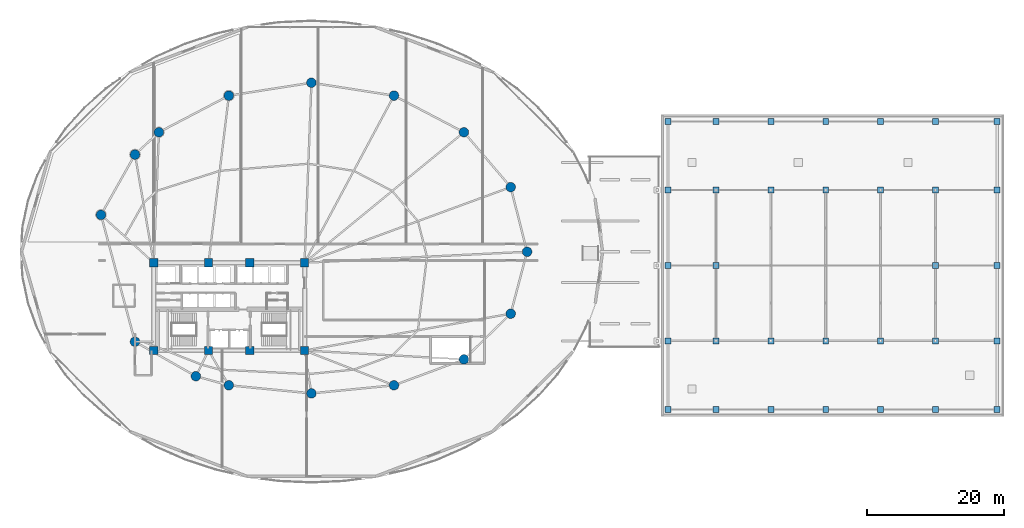
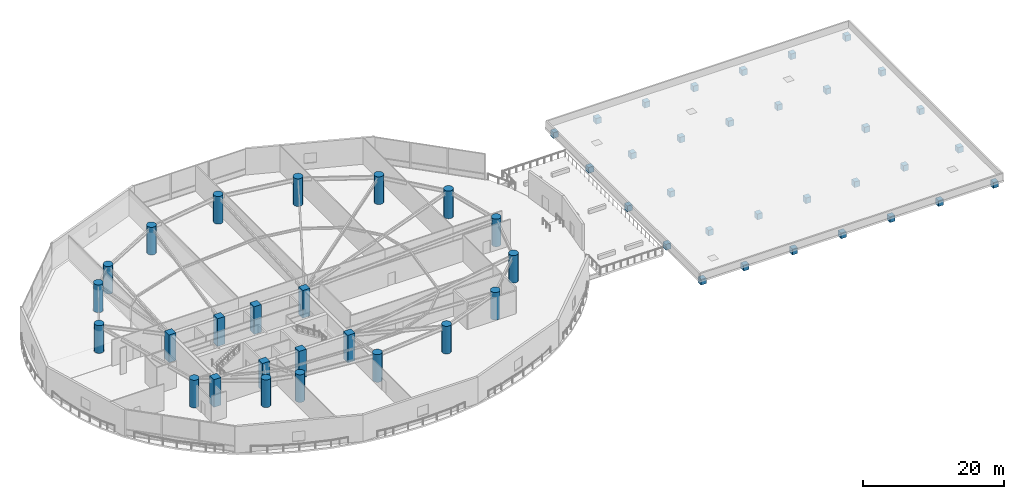
# One storey, part 1 of 26: 56 columns.
"""IFC4 building model written with IfcOpenShell, lengths in metres."""

from ifc_helpers import new_model, si_unit, direction, frame, origin, origin_2d, place, context, subcontext, project, spatial, rectangle, circle, extrude, material, material_profile, profile_set, type_object, element, save


model = new_model("IFC4")

# Units and contexts
model_context = context("Model", 3, precision=1e-05, world=origin(), true_north=direction((0.0, 1.0)))
body_context = subcontext(model_context, "Body", "Model", "MODEL_VIEW")
ifc_project = project(units=[si_unit("LENGTHUNIT", "METRE"), si_unit("AREAUNIT", "SQUARE_METRE"), si_unit("VOLUMEUNIT", "CUBIC_METRE"), si_unit("PLANEANGLEUNIT", "RADIAN"), si_unit("MASSUNIT", "GRAM", prefix="KILO")], contexts=[model_context])

# Site, building, storey
site_placement = place(None, origin())
site = spatial("IfcSite", under=ifc_project, at=site_placement, CompositionType="ELEMENT")
building_placement = place(site_placement, origin())
building = spatial("IfcBuilding", under=site, at=building_placement, Name="Kazevale Care Tower and Concert Hall", CompositionType="ELEMENT")
storey_placement = place(building_placement, frame((0.0, 0.0, 19.199951171875)))
storey = spatial("IfcBuildingStorey", under=building, at=storey_placement, Name="L04", CompositionType="ELEMENT", Elevation=19.199951171875)

# Columns
ifc_material_1 = material(Name="Concrete C50", Category="concrete")
ifc_material_profile_1 = material_profile(ifc_material_1, rectangle(XDim=0.85009765625, YDim=0.85009765625, at=origin_2d()), Name="RC-SQ850")
ifc_profile_set_1 = profile_set([ifc_material_profile_1], Name="Concrete C50")
column_type_1 = type_object("IfcColumnType", Name="Concert Hall Column SQ850 C50", PredefinedType="COLUMN", material=ifc_profile_set_1)
for number, where, z_axis, x_axis, name in (
    (1, (97.0, 15.0, 0.0), (0.0, 0.0, 1.0), (1.0, 0.0, 0.0), "col:L04:roofstub:HC-01"),
    (2, (97.0, 25.0, 0.0), (0.0, 0.0, 1.0), (1.0, 0.0, 0.0), "col:L04:roofstub:HC-02"),
    (3, (97.0, 36.0, 0.0), (0.0, 0.0, 1.0), (1.0, 0.0, 0.0), "col:L04:roofstub:HC-03"),
    (4, (97.0, 47.0, 0.0), (0.0, 0.0, 1.0), (1.0, 0.0, 0.0), "col:L04:roofstub:HC-04"),
    (5, (97.0, 57.0, 0.0), (0.0, 0.0, 1.0), (1.0, 0.0, 0.0), "col:L04:roofstub:HC-05"),
    (6, (104.0, 15.0, 0.0), (0.0, 0.0, 1.0), (1.0, 0.0, 0.0), "col:L04:roofstub:HC-06"),
    (7, (104.0, 25.0, 0.0), (0.0, 0.0, 1.0), (1.0, 0.0, 0.0), "col:L04:roofstub:HC-07"),
    (8, (104.0, 36.0, 0.0), (0.0, 0.0, 1.0), (1.0, 0.0, 0.0), "col:L04:roofstub:HC-08"),
    (9, (104.0, 47.0, 0.0), (0.0, 0.0, 1.0), (1.0, 0.0, 0.0), "col:L04:roofstub:HC-09"),
    (10, (104.0, 57.0, 0.0), (0.0, 0.0, 1.0), (1.0, 0.0, 0.0), "col:L04:roofstub:HC-10"),
    (11, (112.0, 15.0, 0.0), (0.0, 0.0, 1.0), (1.0, 0.0, 0.0), "col:L04:roofstub:HC-11"),
    (12, (112.0, 25.0, 0.0), (0.0, 0.0, 1.0), (1.0, 0.0, 0.0), "col:L04:roofstub:HC-12"),
    (13, (112.0, 47.0, 0.0), (0.0, 0.0, 1.0), (1.0, 0.0, 0.0), "col:L04:roofstub:HC-13"),
    (14, (112.0, 57.0, 0.0), (0.0, 0.0, 1.0), (1.0, 0.0, 0.0), "col:L04:roofstub:HC-14"),
    (15, (120.0, 15.0, 0.0), (0.0, 0.0, 1.0), (1.0, 0.0, 0.0), "col:L04:roofstub:HC-15"),
    (16, (120.0, 25.0, 0.0), (0.0, 0.0, 1.0), (1.0, 0.0, 0.0), "col:L04:roofstub:HC-16"),
    (17, (120.0, 47.0, 0.0), (0.0, 0.0, 1.0), (1.0, 0.0, 0.0), "col:L04:roofstub:HC-17"),
    (18, (120.0, 57.0, 0.0), (0.0, 0.0, 1.0), (1.0, 0.0, 0.0), "col:L04:roofstub:HC-18"),
    (19, (128.0, 15.0, 0.0), (0.0, 0.0, 1.0), (1.0, 0.0, 0.0), "col:L04:roofstub:HC-19"),
    (20, (128.0, 25.0, 0.0), (0.0, 0.0, 1.0), (1.0, 0.0, 0.0), "col:L04:roofstub:HC-20"),
    (21, (128.0, 47.0, 0.0), (0.0, 0.0, 1.0), (1.0, 0.0, 0.0), "col:L04:roofstub:HC-21"),
    (22, (128.0, 57.0, 0.0), (0.0, 0.0, 1.0), (1.0, 0.0, 0.0), "col:L04:roofstub:HC-22"),
    (23, (136.0, 15.0, 0.0), (0.0, 0.0, 1.0), (1.0, 0.0, 0.0), "col:L04:roofstub:HC-23"),
    (24, (136.0, 25.0, 0.0), (0.0, 0.0, 1.0), (1.0, 0.0, 0.0), "col:L04:roofstub:HC-24"),
    (25, (136.0, 36.0, 0.0), (0.0, 0.0, 1.0), (1.0, 0.0, 0.0), "col:L04:roofstub:HC-25"),
    (26, (136.0, 47.0, 0.0), (0.0, 0.0, 1.0), (1.0, 0.0, 0.0), "col:L04:roofstub:HC-26"),
    (27, (136.0, 57.0, 0.0), (0.0, 0.0, 1.0), (1.0, 0.0, 0.0), "col:L04:roofstub:HC-27"),
    (28, (145.0, 15.0, 0.0), (0.0, 0.0, 1.0), (1.0, 0.0, 0.0), "col:L04:roofstub:HC-28"),
    (29, (145.0, 25.0, 0.0), (0.0, 0.0, 1.0), (1.0, 0.0, 0.0), "col:L04:roofstub:HC-29"),
    (30, (145.0, 36.0, 0.0), (0.0, 0.0, 1.0), (1.0, 0.0, 0.0), "col:L04:roofstub:HC-30"),
    (31, (145.0, 47.0, 0.0), (0.0, 0.0, 1.0), (1.0, 0.0, 0.0), "col:L04:roofstub:HC-31"),
    (32, (145.0, 57.0, 0.0), (0.0, 0.0, 1.0), (1.0, 0.0, 0.0), "col:L04:roofstub:HC-32"),
):
    element("IfcColumn", number, at=place(storey_placement, frame(where, z_axis=z_axis, x_axis=x_axis)), inside=storey, type_object=column_type_1, Name=name, PredefinedType="COLUMN", context=body_context, shape_type="SweptSolid", body=[
        extrude(rectangle(XDim=0.85009765625, YDim=0.85009765625, at=origin_2d()), origin(), (0.0, 0.0, 1.0), 1.0),
    ])
ifc_material_2 = material(Name="Concrete C70", Category="concrete")
ifc_material_profile_2 = material_profile(ifc_material_2, rectangle(XDim=1.199951171875, YDim=1.199951171875, at=origin_2d()), Name="RC-SQ1200")
ifc_profile_set_2 = profile_set([ifc_material_profile_2], Name="Concrete C70")
column_type_2 = type_object("IfcColumnType", Name="Core Column SQ1200 C70", PredefinedType="COLUMN", material=ifc_profile_set_2)
for number, where, z_axis, x_axis, name in (
    (33, (22.0, 23.60009765625, 0.0), (0.0, 0.0, 1.0), (1.0, 0.0, 0.0), "col:L04:CC-01"),
    (34, (30.0, 23.60009765625, 0.0), (0.0, 0.0, 1.0), (1.0, 0.0, 0.0), "col:L04:CC-02"),
    (35, (36.0, 23.60009765625, 0.0), (0.0, 0.0, 1.0), (1.0, 0.0, 0.0), "col:L04:CC-03"),
    (36, (44.0, 23.60009765625, 0.0), (0.0, 0.0, 1.0), (1.0, 0.0, 0.0), "col:L04:CC-04"),
    (37, (44.0, 36.39990234375, 0.0), (0.0, 0.0, 1.0), (1.0, 0.0, 0.0), "col:L04:CC-05"),
    (38, (36.0, 36.39990234375, 0.0), (0.0, 0.0, 1.0), (1.0, 0.0, 0.0), "col:L04:CC-06"),
    (39, (30.0, 36.39990234375, 0.0), (0.0, 0.0, 1.0), (1.0, 0.0, 0.0), "col:L04:CC-07"),
    (40, (22.0, 36.39990234375, 0.0), (0.0, 0.0, 1.0), (1.0, 0.0, 0.0), "col:L04:CC-08"),
):
    element("IfcColumn", number, at=place(storey_placement, frame(where, z_axis=z_axis, x_axis=x_axis)), inside=storey, type_object=column_type_2, Name=name, PredefinedType="COLUMN", context=body_context, shape_type="SweptSolid", body=[
        extrude(rectangle(XDim=1.199951171875, YDim=1.199951171875, at=origin_2d()), origin(), (0.0, 0.0, 1.0), 4.800048828125),
    ])
ifc_material_profile_3 = material_profile(ifc_material_2, circle(Radius=0.699951171875, at=origin_2d()), Name="RC-CIR1400")
ifc_profile_set_3 = profile_set([ifc_material_profile_3], Name="Concrete C70")
column_type_3 = type_object("IfcColumnType", Name="Perimeter Column CIR1400 C70", PredefinedType="COLUMN", material=ifc_profile_set_3)
for number, where, z_axis, x_axis, name in (
    (41, (76.449951171875, 38.0, 0.0), (0.0, 0.0, 1.0), (1.0, 0.0, 0.0), "col:L04:PC-01"),
    (42, (74.06005859375, 47.429931640625, 0.0), (0.0, 0.0, 1.0), (1.0, 0.0, 0.0), "col:L04:PC-02"),
    (43, (67.239990234375, 55.429931640625, 0.0), (0.0, 0.0, 1.0), (1.0, 0.0, 0.0), "col:L04:PC-03"),
    (44, (57.0400390625, 60.77001953125, 0.0), (0.0, 0.0, 1.0), (1.0, 0.0, 0.0), "col:L04:PC-04"),
    (45, (45.0, 62.64990234375, 0.0), (0.0, 0.0, 1.0), (1.0, 0.0, 0.0), "col:L04:PC-05"),
    (46, (32.9599609375, 60.77001953125, 0.0), (0.0, 0.0, 1.0), (1.0, 0.0, 0.0), "col:L04:PC-06"),
    (47, (22.760009765625, 55.429931640625, 0.0), (0.0, 0.0, 1.0), (1.0, 0.0, 0.0), "col:L04:PC-07"),
    (48, (19.27001953125, 52.179931640625, 0.0), (0.0, 0.0, 1.0), (1.0, 0.0, 0.0), "col:L04:PC-08"),
    (49, (14.31005859375, 43.3798828125, 0.0), (0.0, 0.0, 1.0), (1.0, 0.0, 0.0), "col:L04:PC-09"),
    (50, (19.27001953125, 24.8798828125, 0.0), (0.0, 0.0, 1.0), (1.0, 0.0, 0.0), "col:L04:PC-10"),
    (51, (28.14990234375, 19.85009765625, 0.0), (0.0, 0.0, 1.0), (1.0, 0.0, 0.0), "col:L04:PC-11"),
    (52, (32.9599609375, 18.530029296875, 0.0), (0.0, 0.0, 1.0), (1.0, 0.0, 0.0), "col:L04:PC-12"),
    (53, (45.0, 17.35009765625, 0.0), (0.0, 0.0, 1.0), (1.0, 0.0, 0.0), "col:L04:PC-13"),
    (54, (57.0400390625, 18.530029296875, 0.0), (0.0, 0.0, 1.0), (1.0, 0.0, 0.0), "col:L04:PC-14"),
    (55, (67.239990234375, 22.31005859375, 0.0), (0.0, 0.0, 1.0), (1.0, 0.0, 0.0), "col:L04:PC-15"),
    (56, (74.06005859375, 28.969970703125, 0.0), (0.0, 0.0, 1.0), (1.0, 0.0, 0.0), "col:L04:PC-16"),
):
    element("IfcColumn", number, at=place(storey_placement, frame(where, z_axis=z_axis, x_axis=x_axis)), inside=storey, type_object=column_type_3, Name=name, PredefinedType="COLUMN", context=body_context, shape_type="SweptSolid", body=[
        extrude(circle(Radius=0.699951171875, at=origin_2d()), origin(), (0.0, 0.0, 1.0), 4.800048828125),
    ])

save(model, "model.ifc")
